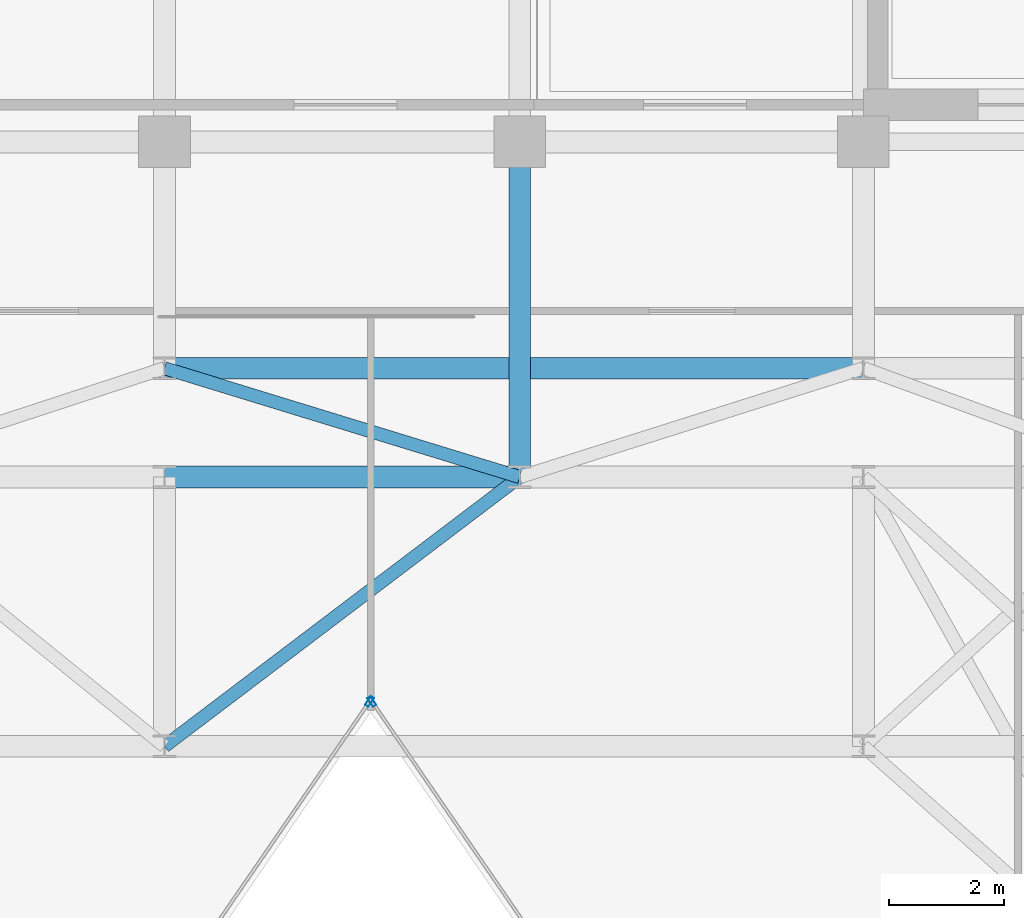
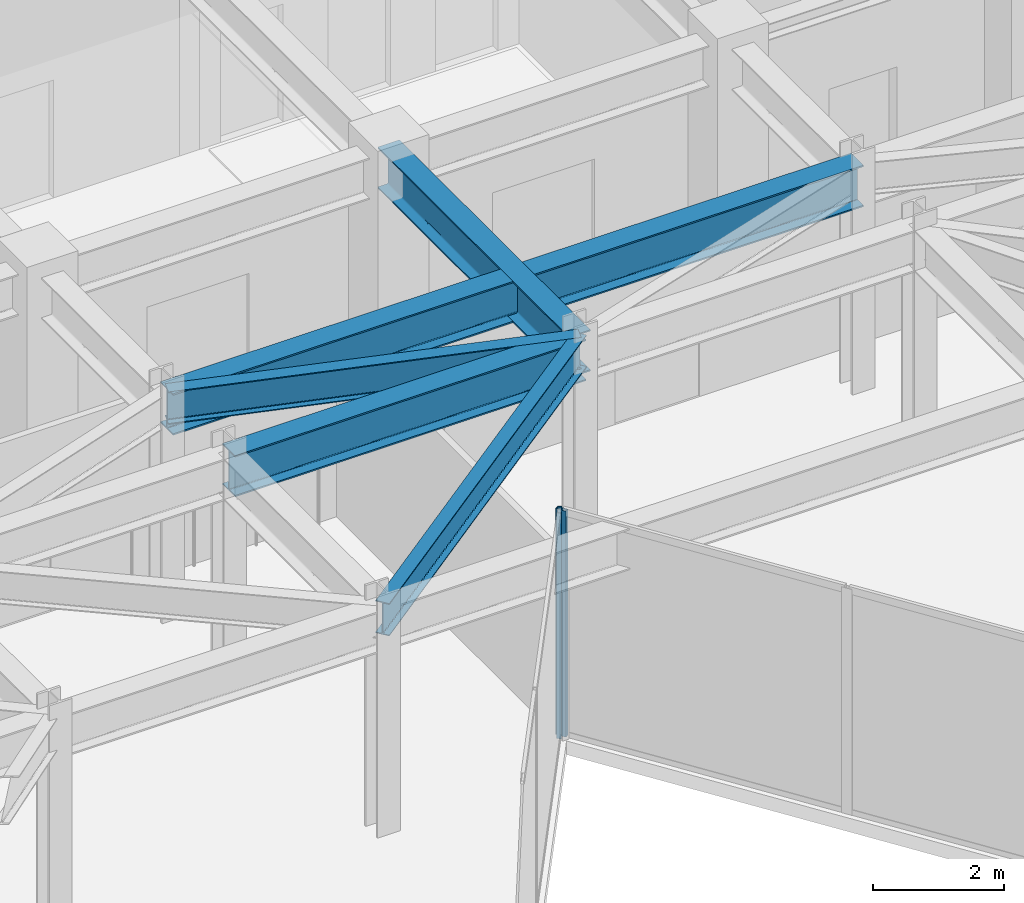
# One storey, part 12 of 25: 5 beams, 2 members, 2 elements without a shape of their own.
"""IFC4 building model written with IfcOpenShell, lengths in metres."""

from ifc_helpers import new_model, si_unit, direction, frame, origin, origin_2d, place, context, subcontext, project, spatial, hollow_rectangle, i_section, extrude, material, layer, layer_set, material_profile, profile_set, type_object, element, aggregate, save


model = new_model("IFC4")

# Units and contexts
model_context = context("Model", 3, precision=1e-05, world=origin(), true_north=direction((0.0, 1.0)))
body_context = subcontext(model_context, "Body", "Model", "MODEL_VIEW")
ifc_project = project(units=[si_unit("LENGTHUNIT", "METRE"), si_unit("AREAUNIT", "SQUARE_METRE"), si_unit("VOLUMEUNIT", "CUBIC_METRE"), si_unit("PLANEANGLEUNIT", "RADIAN"), si_unit("MASSUNIT", "GRAM", prefix="KILO")], contexts=[model_context])

# Site, building, storey
site_placement = place(None, origin())
site = spatial("IfcSite", under=ifc_project, at=site_placement, CompositionType="ELEMENT")
building_placement = place(site_placement, origin())
building = spatial("IfcBuilding", under=site, at=building_placement, Name="Kravanh Interchange Tower", CompositionType="ELEMENT")
storey_placement = place(building_placement, frame((0.0, 0.0, 220.5)))
storey = spatial("IfcBuildingStorey", under=building, at=storey_placement, Name="L53", CompositionType="ELEMENT", Elevation=220.5)

# Curtain wall, member
ifc_material_1 = material(Name="Anodised Bronze Aluminium", Category="aluminium")
ifc_layer = layer(ifc_material_1, 0.179931640625)
ifc_layer_set = layer_set([ifc_layer], Name="Unitised Curtain Wall System CW-SKY Sky Observatory")
curtain_wall_type = type_object("IfcCurtainWallType", Name="Unitised Curtain Wall System CW-SKY Sky Observatory", PredefinedType="NOTDEFINED", material=ifc_layer_set)
curtain_wall_1_placement = place(storey_placement, origin())
curtain_wall_1 = element("IfcCurtainWall", 1, at=curtain_wall_1_placement, inside=storey, type_object=curtain_wall_type, Name="L53 Unitised Curtain Wall CW-L53-05", PredefinedType="NOTDEFINED")
ifc_material_2 = material(Name="Anodised Bronze Aluminium", Category="aluminium")
ifc_material_profile_1 = material_profile(ifc_material_2, hollow_rectangle(XDim=0.070068359375, YDim=0.179931640625, WallThickness=0.00390625, at=origin_2d()), Name="ALU70X180X4")
ifc_profile_set_1 = profile_set([ifc_material_profile_1], Name="Anodised Bronze Aluminium")
member_type = type_object("IfcMemberType", Name="Curtain Wall Mullion ALU70X180X4 Bronze", PredefinedType="MULLION", material=ifc_profile_set_1)
member_1_placement = place(storey_placement, frame((42.2197265625, 27.5830078125, 0.0), z_axis=(0.0, 0.0, 1.0), x_axis=(-0.824042223035, -0.566528388217, 0.0)))
member_1 = element("IfcMember", 2, at=member_1_placement, type_object=member_type, Name="CW-SKY mullion 5", PredefinedType="MULLION", context=body_context, shape_type="SweptSolid", body=[
    extrude(hollow_rectangle(XDim=0.070068359375, YDim=0.179931640625, WallThickness=0.00390625, at=origin_2d()), origin(), (0.0, 0.0, 1.0), 4.219970703125),
])
aggregate(curtain_wall_1, [member_1])

curtain_wall_2_placement = place(storey_placement, origin())
curtain_wall_2 = element("IfcCurtainWall", 3, at=curtain_wall_2_placement, inside=storey, type_object=curtain_wall_type, Name="L53 Unitised Curtain Wall CW-L53-06", PredefinedType="NOTDEFINED")
member_2_placement = place(storey_placement, frame((42.18017578125, 27.5830078125, 0.0), z_axis=(0.0, 0.0, 1.0), x_axis=(0.824042223035, -0.566528388217, 0.0)))
member_2 = element("IfcMember", 4, at=member_2_placement, type_object=member_type, Name="CW-SKY mullion 1", PredefinedType="MULLION", context=body_context, shape_type="SweptSolid", body=[
    extrude(hollow_rectangle(XDim=0.070068359375, YDim=0.179931640625, WallThickness=0.00390625, at=origin_2d()), origin(), (0.0, 0.0, 1.0), 4.219970703125),
])
aggregate(curtain_wall_2, [member_2])

# Beams
ifc_material_3 = material(Name="Structural Steel S355", Category="steel")
ifc_material_profile_2 = material_profile(ifc_material_3, i_section(OverallWidth=0.381103515625, OverallDepth=0.77294921875, WebThickness=0.0166015625, FlangeThickness=0.027099609375, FilletRadius=0.02490234375, at=origin_2d()), Name="W30X173")
ifc_profile_set_2 = profile_set([ifc_material_profile_2], Name="Structural Steel S355")
beam_type_1 = type_object("IfcBeamType", Name="Floor Beam W30X173 Structural Steel S355", PredefinedType="BEAM", material=ifc_profile_set_2)
beam_1_placement = place(storey_placement, frame((44.800048828125, 37.35009765625, 3.83349609375), z_axis=(0.0, -1.0, 0.0), x_axis=(1.0, 0.0, 0.0)))
element("IfcBeam", 5, at=beam_1_placement, inside=storey, type_object=beam_type_1, Name="L53 Primary Floor Girder 12", PredefinedType="BEAM", context=body_context, shape_type="SweptSolid", body=[
    extrude(i_section(OverallWidth=0.381103515625, OverallDepth=0.77294921875, WebThickness=0.0166015625, FlangeThickness=0.027099609375, FilletRadius=0.02490234375, at=origin_2d()), origin(), (0.0, 0.0, 1.0), 5.85009765625),
])
beam_2_placement = place(storey_placement, frame((38.60009765625, 31.5, 3.83349609375), z_axis=(1.0, 0.0, 0.0), x_axis=(0.0, 1.0, 0.0)))
element("IfcBeam", 6, at=beam_2_placement, inside=storey, type_object=beam_type_1, Name="L53 Primary Floor Girder 72", PredefinedType="BEAM", context=body_context, shape_type="SweptSolid", body=[
    extrude(i_section(OverallWidth=0.381103515625, OverallDepth=0.77294921875, WebThickness=0.0166015625, FlangeThickness=0.027099609375, FilletRadius=0.02490234375, at=origin_2d()), origin(), (0.0, 0.0, 1.0), 6.199951171875),
])
beam_3_placement = place(storey_placement, frame((38.60009765625, 33.39990234375, 3.83349609375), z_axis=(1.0, 0.0, 0.0), x_axis=(0.0, 1.0, 0.0)))
element("IfcBeam", 7, at=beam_3_placement, inside=storey, type_object=beam_type_1, Name="L53 Primary Floor Girder 94", PredefinedType="BEAM", context=body_context, shape_type="SweptSolid", body=[
    extrude(i_section(OverallWidth=0.381103515625, OverallDepth=0.77294921875, WebThickness=0.0166015625, FlangeThickness=0.027099609375, FilletRadius=0.02490234375, at=origin_2d()), origin(), (0.0, 0.0, 1.0), 12.199951171875),
])
ifc_material_4 = material(Name="Structural Steel S355", Category="steel")
ifc_material_profile_3 = material_profile(ifc_material_4, i_section(OverallWidth=0.22802734375, OverallDepth=0.60791015625, WebThickness=0.01123046875, FlangeThickness=0.017333984375, FilletRadius=0.02197265625, at=origin_2d()), Name="W24X76")
ifc_profile_set_3 = profile_set([ifc_material_profile_3], Name="Structural Steel S355")
beam_type_2 = type_object("IfcBeamType", Name="Floor Spandrel W24X76 Structural Steel S355", PredefinedType="SPANDREL", material=ifc_profile_set_3)
beam_4_placement = place(storey_placement, frame((38.60009765625, 26.800048828125, 3.916015625), z_axis=(0.796905365509, 0.604104161898, 0.0), x_axis=(-0.604104161898, 0.796905365509, 0.0)))
element("IfcBeam", 8, at=beam_4_placement, inside=storey, type_object=beam_type_2, Name="L53 Perimeter Spandrel 47", PredefinedType="SPANDREL", context=body_context, shape_type="SweptSolid", body=[
    extrude(i_section(OverallWidth=0.22802734375, OverallDepth=0.60791015625, WebThickness=0.01123046875, FlangeThickness=0.017333984375, FilletRadius=0.02197265625, at=origin_2d()), origin(), (0.0, 0.0, 1.0), 7.780029296875),
])
beam_5_placement = place(storey_placement, frame((44.800048828125, 31.5, 3.916015625), z_axis=(-0.956115397264, 0.292990353279, 0.0), x_axis=(-0.292990353279, -0.956115397264, 0.0)))
element("IfcBeam", 9, at=beam_5_placement, inside=storey, type_object=beam_type_2, Name="L53 Perimeter Spandrel 76", PredefinedType="SPANDREL", context=body_context, shape_type="SweptSolid", body=[
    extrude(i_section(OverallWidth=0.22802734375, OverallDepth=0.60791015625, WebThickness=0.01123046875, FlangeThickness=0.017333984375, FilletRadius=0.02197265625, at=origin_2d()), origin(), (0.0, 0.0, 1.0), 6.484619140625),
])

save(model, "model.ifc")
